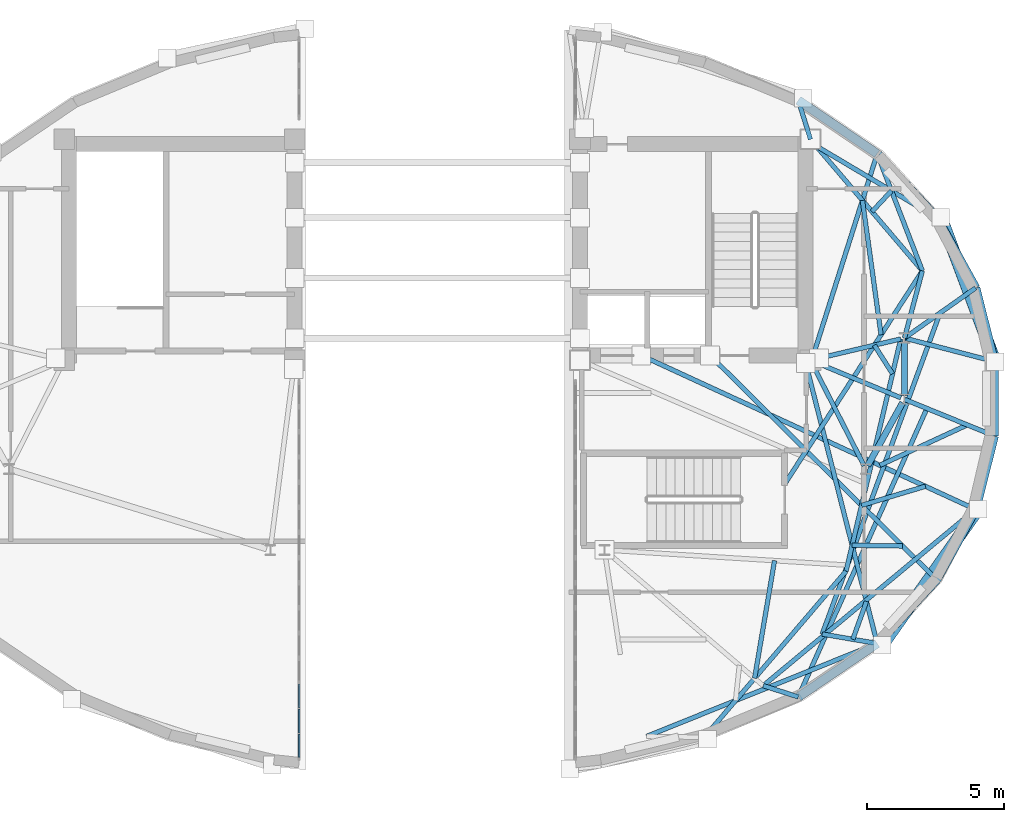
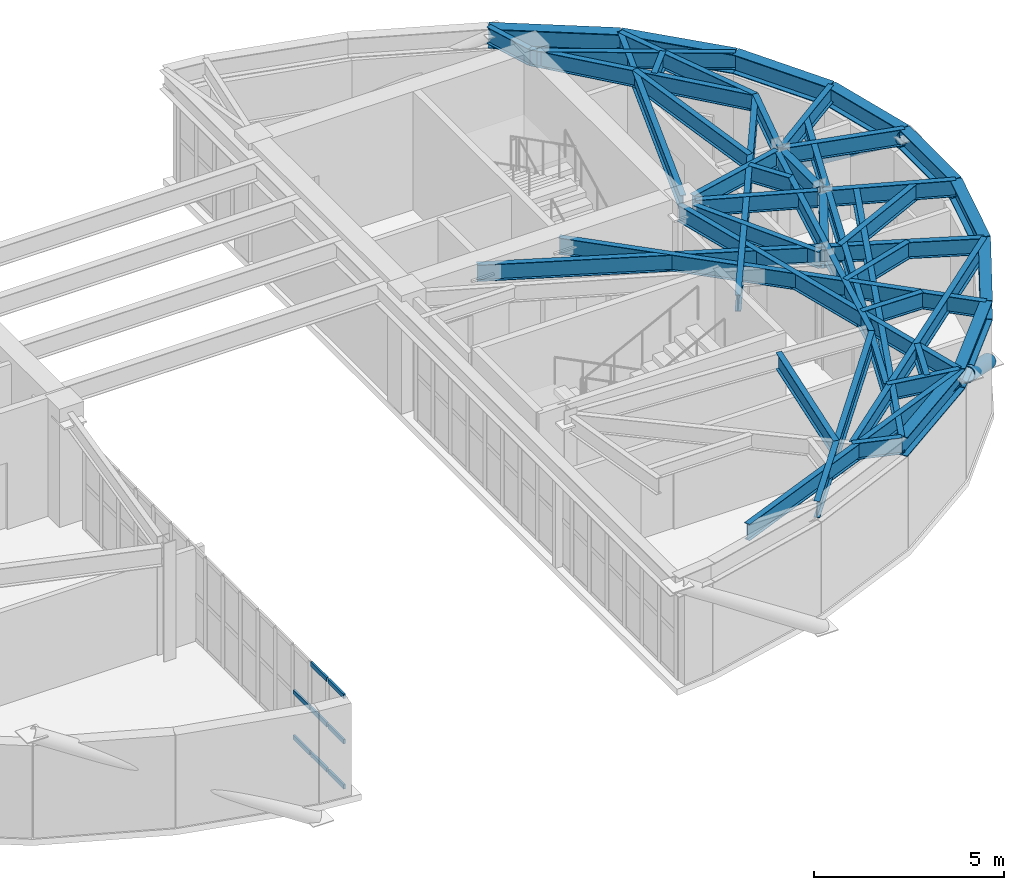
# One storey, part 5 of 13: 43 beams, 10 members, 1 element without a shape of its own.
"""IFC4 building model written with IfcOpenShell, lengths in metres."""

from ifc_helpers import new_model, si_unit, direction, frame, origin, origin_2d, place, context, subcontext, project, spatial, rectangle, hollow_circle, i_section, extrude, material, layer, layer_set, material_profile, profile_set, type_object, element, aggregate, save


model = new_model("IFC4")

# Units and contexts
model_context = context("Model", 3, precision=1e-05, world=origin(), true_north=direction((0.0, 1.0)))
body_context = subcontext(model_context, "Body", "Model", "MODEL_VIEW")
ifc_project = project(units=[si_unit("LENGTHUNIT", "METRE"), si_unit("AREAUNIT", "SQUARE_METRE"), si_unit("VOLUMEUNIT", "CUBIC_METRE"), si_unit("PLANEANGLEUNIT", "RADIAN"), si_unit("MASSUNIT", "GRAM", prefix="KILO")], contexts=[model_context])

# Site, building, storey
site_placement = place(None, origin())
site = spatial("IfcSite", under=ifc_project, at=site_placement, CompositionType="ELEMENT")
building_placement = place(site_placement, origin())
building = spatial("IfcBuilding", under=site, at=building_placement, Name="Keldmark Tower", CompositionType="ELEMENT")
storey_placement = place(building_placement, frame((0.0, 0.0, 280.60009765625)))
storey = spatial("IfcBuildingStorey", under=building, at=storey_placement, Name="L79", CompositionType="ELEMENT", Elevation=280.60009765625)

# Members
ifc_material_1 = material(Name="Steel ASTM A572 Grade 50", Category="steel")
ifc_material_profile_1 = material_profile(ifc_material_1, hollow_circle(Radius=0.22509765625, WallThickness=0.02197265625, at=origin_2d()), Name="CHS450X22")
ifc_profile_set_1 = profile_set([ifc_material_profile_1], Name="Steel ASTM A572 Grade 50")
member_type_1 = type_object("IfcMemberType", Name="Crown Frame Brace CHS450X22", PredefinedType="USERDEFINED", material=ifc_profile_set_1)
member_1_placement = place(storey_placement, frame((18.353759765625, 6.618408203125, -0.4501953125), z_axis=(0.291548831832, -0.775773726038, 0.559619875135), x_axis=(0.936077553227, 0.351793709928, 0.0)))
element("IfcMember", 1, at=member_1_placement, inside=storey, type_object=member_type_1, Name="L79 Crown Frame Diagonal E04", ObjectType="CROWN FRAME", PredefinedType="USERDEFINED", context=body_context, shape_type="SweptSolid", body=[
    extrude(hollow_circle(Radius=0.22509765625, WallThickness=0.02197265625, at=origin_2d()), origin(), (0.0, 0.0, 1.0), 6.79052734375),
])
member_2_placement = place(storey_placement, frame((19.7099609375, -4.032958984375, -0.4501953125), z_axis=(-0.487772662489, -0.692451388598, 0.531590918053), x_axis=(0.817532912792, -0.575881877213, 0.0)))
element("IfcMember", 2, at=member_2_placement, inside=storey, type_object=member_type_1, Name="L79 Crown Frame Diagonal E08", ObjectType="CROWN FRAME", PredefinedType="USERDEFINED", context=body_context, shape_type="SweptSolid", body=[
    extrude(hollow_circle(Radius=0.22509765625, WallThickness=0.02197265625, at=origin_2d()), origin(), (0.0, 0.0, 1.0), 7.1484375),
])

# Curtain wall, members
ifc_material_2 = material(Name="Unitized Thermally Broken Aluminum and Triple Low-E Glazing", Category="aluminium")
ifc_layer = layer(ifc_material_2, 0.219970703125)
ifc_layer_set = layer_set([ifc_layer], Name="Unitized Thermally Broken Aluminum and Triple Low-E Glazing")
curtain_wall_type = type_object("IfcCurtainWallType", Name="Split-Top Crown Lantern Curtain Wall System", PredefinedType="NOTDEFINED", material=ifc_layer_set)
curtain_wall_placement = place(storey_placement, origin())
curtain_wall = element("IfcCurtainWall", 3, at=curtain_wall_placement, inside=storey, type_object=curtain_wall_type, Name="L79 Split-Top Crown Lantern Curtain Wall System CW-L79-WS14-0", PredefinedType="NOTDEFINED")
ifc_material_3 = material(Name="Extruded Aluminum Alloy 6063-T6", Category="aluminium")
ifc_material_profile_2 = material_profile(ifc_material_3, rectangle(XDim=0.06005859375, YDim=0.139892578125, at=origin_2d()), Name="CWT60X140")
ifc_profile_set_2 = profile_set([ifc_material_profile_2], Name="Extruded Aluminum Alloy 6063-T6")
member_type_2 = type_object("IfcMemberType", Name="Curtain Wall Horizontal Transom 60x140", PredefinedType="USERDEFINED", material=ifc_profile_set_2)
member_3_placement = place(storey_placement, frame((-5.0400390625, -13.064697265625, 0.02978515625), z_axis=(0.0, 1.0, 0.0), x_axis=(-1.0, 0.0, 0.0)))
member_3 = element("IfcMember", 4, at=member_3_placement, type_object=member_type_2, Name="CW transom 1.1", ObjectType="TRANSOM", PredefinedType="USERDEFINED", context=body_context, shape_type="SweptSolid", body=[
    extrude(rectangle(XDim=0.06005859375, YDim=0.139892578125, at=origin_2d()), origin(), (0.0, 0.0, 1.0), 0.826416015625),
])
member_4_placement = place(storey_placement, frame((-5.0400390625, -13.064697265625, 1.48291015625), z_axis=(0.0, 1.0, 0.0), x_axis=(-1.0, 0.0, 0.0)))
member_4 = element("IfcMember", 5, at=member_4_placement, type_object=member_type_2, Name="CW transom 1.2", ObjectType="TRANSOM", PredefinedType="USERDEFINED", context=body_context, shape_type="SweptSolid", body=[
    extrude(rectangle(XDim=0.06005859375, YDim=0.139892578125, at=origin_2d()), origin(), (0.0, 0.0, 1.0), 0.826416015625),
])
member_5_placement = place(storey_placement, frame((-5.0400390625, -13.064697265625, 2.935791015625), z_axis=(0.0, 1.0, 0.0), x_axis=(-1.0, 0.0, 0.0)))
member_5 = element("IfcMember", 6, at=member_5_placement, type_object=member_type_2, Name="CW transom 1.3", ObjectType="TRANSOM", PredefinedType="USERDEFINED", context=body_context, shape_type="SweptSolid", body=[
    extrude(rectangle(XDim=0.06005859375, YDim=0.139892578125, at=origin_2d()), origin(), (0.0, 0.0, 1.0), 0.826416015625),
])
member_6_placement = place(storey_placement, frame((-5.0400390625, -12.178466796875, 0.02978515625), z_axis=(0.0, 1.0, 0.0), x_axis=(-1.0, 0.0, 0.0)))
member_6 = element("IfcMember", 7, at=member_6_placement, type_object=member_type_2, Name="CW transom 2.1", ObjectType="TRANSOM", PredefinedType="USERDEFINED", context=body_context, shape_type="SweptSolid", body=[
    extrude(rectangle(XDim=0.06005859375, YDim=0.139892578125, at=origin_2d()), origin(), (0.0, 0.0, 1.0), 0.8564453125),
])
member_7_placement = place(storey_placement, frame((-5.0400390625, -12.178466796875, 1.48291015625), z_axis=(0.0, 1.0, 0.0), x_axis=(-1.0, 0.0, 0.0)))
member_7 = element("IfcMember", 8, at=member_7_placement, type_object=member_type_2, Name="CW transom 2.2", ObjectType="TRANSOM", PredefinedType="USERDEFINED", context=body_context, shape_type="SweptSolid", body=[
    extrude(rectangle(XDim=0.06005859375, YDim=0.139892578125, at=origin_2d()), origin(), (0.0, 0.0, 1.0), 0.8564453125),
])
member_8_placement = place(storey_placement, frame((-5.0400390625, -12.178466796875, 2.935791015625), z_axis=(0.0, 1.0, 0.0), x_axis=(-1.0, 0.0, 0.0)))
member_8 = element("IfcMember", 9, at=member_8_placement, type_object=member_type_2, Name="CW transom 2.3", ObjectType="TRANSOM", PredefinedType="USERDEFINED", context=body_context, shape_type="SweptSolid", body=[
    extrude(rectangle(XDim=0.06005859375, YDim=0.139892578125, at=origin_2d()), origin(), (0.0, 0.0, 1.0), 0.8564453125),
])
member_9_placement = place(storey_placement, frame((-5.0400390625, -11.261962890625, 0.02978515625), z_axis=(0.0, 1.0, 0.0), x_axis=(-1.0, 0.0, 0.0)))
member_9 = element("IfcMember", 10, at=member_9_placement, type_object=member_type_2, Name="CW transom 3.1", ObjectType="TRANSOM", PredefinedType="USERDEFINED", context=body_context, shape_type="SweptSolid", body=[
    extrude(rectangle(XDim=0.06005859375, YDim=0.139892578125, at=origin_2d()), origin(), (0.0, 0.0, 1.0), 0.8564453125),
])
member_10_placement = place(storey_placement, frame((-5.0400390625, -11.261962890625, 1.48291015625), z_axis=(0.0, 1.0, 0.0), x_axis=(-1.0, 0.0, 0.0)))
member_10 = element("IfcMember", 11, at=member_10_placement, type_object=member_type_2, Name="CW transom 3.2", ObjectType="TRANSOM", PredefinedType="USERDEFINED", context=body_context, shape_type="SweptSolid", body=[
    extrude(rectangle(XDim=0.06005859375, YDim=0.139892578125, at=origin_2d()), origin(), (0.0, 0.0, 1.0), 0.8564453125),
])
aggregate(curtain_wall, [member_3, member_4, member_5, member_6, member_7, member_8, member_9, member_10])

# Beams
ifc_material_4 = material(Name="Steel ASTM A992 Grade 50", Category="steel")
ifc_material_profile_3 = material_profile(ifc_material_4, i_section(OverallWidth=0.22802734375, OverallDepth=0.60302734375, WebThickness=0.010498046875, FlangeThickness=0.014892578125, at=origin_2d()), Name="W24X68")
ifc_profile_set_3 = profile_set([ifc_material_profile_3], Name="Steel ASTM A992 Grade 50")
beam_type_1 = type_object("IfcBeamType", Name="Primary Floor Girder W24X68", PredefinedType="BEAM", material=ifc_profile_set_3)
beam_1_placement = place(storey_placement, frame((15.68408203125, -2.44482421875, 3.29833984375), z_axis=(0.484719680408, 0.874669555561, 0.0), x_axis=(-0.874669555561, 0.484719680408, 0.0)))
element("IfcBeam", 12, at=beam_1_placement, inside=storey, type_object=beam_type_1, Name="L79 Floor Ring Girder FG-R07", PredefinedType="BEAM", context=body_context, shape_type="SweptSolid", body=[
    extrude(i_section(OverallWidth=0.22802734375, OverallDepth=0.60302734375, WebThickness=0.010498046875, FlangeThickness=0.014892578125, at=origin_2d()), origin(), (0.0, 0.0, 1.0), 2.627685546875),
])
beam_2_placement = place(storey_placement, frame((17.025634765625, 0.115966796875, 3.29833984375), z_axis=(0.0, 1.0, 0.0), x_axis=(-1.0, 0.0, 0.0)))
element("IfcBeam", 13, at=beam_2_placement, inside=storey, type_object=beam_type_1, Name="L79 Floor Ring Girder FG-R08", PredefinedType="BEAM", context=body_context, shape_type="SweptSolid", body=[
    extrude(i_section(OverallWidth=0.22802734375, OverallDepth=0.60302734375, WebThickness=0.010498046875, FlangeThickness=0.014892578125, at=origin_2d()), origin(), (0.0, 0.0, 1.0), 1.9521484375),
])
ifc_material_5 = material(Name="Steel ASTM A992 Grade 50", Category="steel")
ifc_material_profile_4 = material_profile(ifc_material_5, i_section(OverallWidth=0.166015625, OverallDepth=0.529052734375, WebThickness=0.009765625, FlangeThickness=0.013671875, at=origin_2d()), Name="W21X50")
ifc_profile_set_4 = profile_set([ifc_material_profile_4], Name="Steel ASTM A992 Grade 50")
beam_type_2 = type_object("IfcBeamType", Name="Radial Tie Girder W21X50", PredefinedType="BEAM", material=ifc_profile_set_4)
beam_3_placement = place(storey_placement, frame((16.889404296875, 2.17578125, 3.33544921875), z_axis=(-0.97329039005, -0.229577474147, 0.0), x_axis=(0.229577474147, -0.97329039005, 0.0)))
element("IfcBeam", 14, at=beam_3_placement, inside=storey, type_object=beam_type_2, Name="L79 Floor Radial Girder FG-C01", PredefinedType="BEAM", context=body_context, shape_type="SweptSolid", body=[
    extrude(i_section(OverallWidth=0.166015625, OverallDepth=0.529052734375, WebThickness=0.009765625, FlangeThickness=0.013671875, at=origin_2d()), origin(), (0.0, 0.0, 1.0), 3.0595703125),
])
beam_4_placement = place(storey_placement, frame((15.552734375, -2.442626953125, 3.33544921875), z_axis=(-0.453004410574, 0.89150827478, 0.0), x_axis=(-0.89150827478, -0.453004410574, 0.0)))
element("IfcBeam", 15, at=beam_4_placement, inside=storey, type_object=beam_type_2, Name="L79 Floor Radial Girder FG-C11", PredefinedType="BEAM", context=body_context, shape_type="SweptSolid", body=[
    extrude(i_section(OverallWidth=0.166015625, OverallDepth=0.529052734375, WebThickness=0.009765625, FlangeThickness=0.013671875, at=origin_2d()), origin(), (0.0, 0.0, 1.0), 3.990234375),
])
beam_5_placement = place(storey_placement, frame((16.896240234375, 0.02978515625, 3.33544921875), z_axis=(-0.923403331902, 0.383831065226, 0.0), x_axis=(-0.383831065226, -0.923403331902, 0.0)))
element("IfcBeam", 16, at=beam_5_placement, inside=storey, type_object=beam_type_2, Name="L79 Floor Radial Girder FG-C12", PredefinedType="BEAM", context=body_context, shape_type="SweptSolid", body=[
    extrude(i_section(OverallWidth=0.166015625, OverallDepth=0.529052734375, WebThickness=0.009765625, FlangeThickness=0.013671875, at=origin_2d()), origin(), (0.0, 0.0, 1.0), 3.249755859375),
])
beam_6_placement = place(storey_placement, frame((16.889404296875, 2.17578125, 3.33544921875), z_axis=(-0.229172373012, -0.973385855377, 0.0), x_axis=(0.973385855377, -0.229172373012, 0.0)))
element("IfcBeam", 17, at=beam_6_placement, inside=storey, type_object=beam_type_2, Name="L79 Sub-Ring Step Girder STP1-E07", PredefinedType="BEAM", context=body_context, shape_type="SweptSolid", body=[
    extrude(i_section(OverallWidth=0.166015625, OverallDepth=0.529052734375, WebThickness=0.009765625, FlangeThickness=0.013671875, at=origin_2d()), origin(), (0.0, 0.0, 1.0), 8.694091796875),
])
beam_7_placement = place(storey_placement, frame((16.590576171875, 0.906494140625, 3.33544921875), z_axis=(-0.536184751119, 0.844100653162, 0.0), x_axis=(-0.844100653162, -0.536184751119, 0.0)))
element("IfcBeam", 18, at=beam_7_placement, inside=storey, type_object=beam_type_2, Name="L79 Framing Pin Header PH-002", PredefinedType="BEAM", context=body_context, shape_type="SweptSolid", body=[
    extrude(i_section(OverallWidth=0.166015625, OverallDepth=0.529052734375, WebThickness=0.009765625, FlangeThickness=0.013671875, at=origin_2d()), origin(), (0.0, 0.0, 1.0), 1.2353515625),
])
beam_8_placement = place(storey_placement, frame((12.659912109375, -3.11328125, 3.33544921875), z_axis=(0.542382279836, 0.840131812586, 0.0), x_axis=(-0.840131812586, 0.542382279836, 0.0)))
element("IfcBeam", 19, at=beam_8_placement, inside=storey, type_object=beam_type_2, Name="L79 Intermediate Radial Step Girder CRT-E05M", PredefinedType="BEAM", context=body_context, shape_type="SweptSolid", body=[
    extrude(i_section(OverallWidth=0.166015625, OverallDepth=0.529052734375, WebThickness=0.009765625, FlangeThickness=0.013671875, at=origin_2d()), origin(), (0.0, 0.0, 1.0), 9.25244140625),
])
beam_9_placement = place(storey_placement, frame((17.025634765625, 2.2080078125, 3.33544921875), z_axis=(0.257201474164, 0.966357802104, 0.0), x_axis=(-0.966357802104, 0.257201474164, 0.0)))
element("IfcBeam", 20, at=beam_9_placement, inside=storey, type_object=beam_type_2, Name="L79 Local Collector Chord CRT-E05C", PredefinedType="BEAM", context=body_context, shape_type="SweptSolid", body=[
    extrude(i_section(OverallWidth=0.166015625, OverallDepth=0.529052734375, WebThickness=0.009765625, FlangeThickness=0.013671875, at=origin_2d()), origin(), (0.0, 0.0, 1.0), 2.537353515625),
])
beam_10_placement = place(storey_placement, frame((17.025634765625, 2.2080078125, 3.33544921875), z_axis=(0.817095863613, 0.576501821043, 0.0), x_axis=(-0.576501821043, 0.817095863613, 0.0)))
element("IfcBeam", 21, at=beam_10_placement, inside=storey, type_object=beam_type_2, Name="L79 Perimeter Column Bracket CRT-E06", PredefinedType="BEAM", context=body_context, shape_type="SweptSolid", body=[
    extrude(i_section(OverallWidth=0.166015625, OverallDepth=0.529052734375, WebThickness=0.009765625, FlangeThickness=0.013671875, at=origin_2d()), origin(), (0.0, 0.0, 1.0), 3.171142578125),
])
beam_11_placement = place(storey_placement, frame((17.025634765625, 2.2080078125, 3.33544921875), z_axis=(0.967693945854, -0.252127799256, 0.0), x_axis=(0.252127799256, 0.967693945854, 0.0)))
element("IfcBeam", 22, at=beam_11_placement, inside=storey, type_object=beam_type_2, Name="L79 Perimeter Column Bracket CRT-E07", PredefinedType="BEAM", context=body_context, shape_type="SweptSolid", body=[
    extrude(i_section(OverallWidth=0.166015625, OverallDepth=0.529052734375, WebThickness=0.009765625, FlangeThickness=0.013671875, at=origin_2d()), origin(), (0.0, 0.0, 1.0), 3.37939453125),
])
beam_12_placement = place(storey_placement, frame((17.025634765625, -0.02392578125, 3.33544921875), z_axis=(0.926121883512, -0.377224411829, 0.0), x_axis=(0.377224411829, 0.926121883512, 0.0)))
element("IfcBeam", 23, at=beam_12_placement, inside=storey, type_object=beam_type_2, Name="L79 Perimeter Column Bracket CRT-E08", PredefinedType="BEAM", context=body_context, shape_type="SweptSolid", body=[
    extrude(i_section(OverallWidth=0.166015625, OverallDepth=0.529052734375, WebThickness=0.009765625, FlangeThickness=0.013671875, at=origin_2d()), origin(), (0.0, 0.0, 1.0), 3.53125),
])
beam_13_placement = place(storey_placement, frame((19.314697265625, -0.956298828125, 3.33544921875), z_axis=(-0.907553813571, -0.419935799228, 0.0), x_axis=(0.419935799228, -0.907553813571, 0.0)))
element("IfcBeam", 24, at=beam_13_placement, inside=storey, type_object=beam_type_2, Name="L79 Framing Pin Header PH-003", PredefinedType="BEAM", context=body_context, shape_type="SweptSolid", body=[
    extrude(i_section(OverallWidth=0.166015625, OverallDepth=0.529052734375, WebThickness=0.009765625, FlangeThickness=0.013671875, at=origin_2d()), origin(), (0.0, 0.0, 1.0), 3.509765625),
])
beam_14_placement = place(storey_placement, frame((7.43212890625, 1.574951171875, 3.33544921875), z_axis=(0.908315417086, -0.418285910693, 0.0), x_axis=(0.418285910693, 0.908315417086, 0.0)))
element("IfcBeam", 25, at=beam_14_placement, inside=storey, type_object=beam_type_2, Name="L79 Perimeter Radial Tie Girder CRT-E09", PredefinedType="BEAM", context=body_context, shape_type="SweptSolid", body=[
    extrude(i_section(OverallWidth=0.166015625, OverallDepth=0.529052734375, WebThickness=0.009765625, FlangeThickness=0.013671875, at=origin_2d()), origin(), (0.0, 0.0, 1.0), 13.41455078125),
])
beam_15_placement = place(storey_placement, frame((17.7890625, -3.194580078125, 3.33544921875), z_axis=(-0.958198867244, -0.286103007346, 0.0), x_axis=(0.286103007346, -0.958198867244, 0.0)))
element("IfcBeam", 26, at=beam_15_placement, inside=storey, type_object=beam_type_2, Name="L79 Framing Pin Header PH-004", PredefinedType="BEAM", context=body_context, shape_type="SweptSolid", body=[
    extrude(i_section(OverallWidth=0.166015625, OverallDepth=0.529052734375, WebThickness=0.009765625, FlangeThickness=0.013671875, at=origin_2d()), origin(), (0.0, 0.0, 1.0), 2.429443359375),
])
beam_16_placement = place(storey_placement, frame((9.939208984375, 1.574951171875, 3.33544921875), z_axis=(0.710795448043, -0.703398770998, 0.0), x_axis=(0.703398770998, 0.710795448043, 0.0)))
element("IfcBeam", 27, at=beam_16_placement, inside=storey, type_object=beam_type_2, Name="L79 Perimeter Radial Tie Girder CRT-E10", PredefinedType="BEAM", context=body_context, shape_type="SweptSolid", body=[
    extrude(i_section(OverallWidth=0.166015625, OverallDepth=0.529052734375, WebThickness=0.009765625, FlangeThickness=0.013671875, at=origin_2d()), origin(), (0.0, 0.0, 1.0), 11.618408203125),
])
beam_17_placement = place(storey_placement, frame((16.958740234375, -5.37158203125, 3.33544921875), z_axis=(-0.999887598558, 0.014993006719, 0.0), x_axis=(-0.014993006719, -0.999887598558, 0.0)))
element("IfcBeam", 28, at=beam_17_placement, inside=storey, type_object=beam_type_2, Name="L79 Framing Pin Header PH-005", PredefinedType="BEAM", context=body_context, shape_type="SweptSolid", body=[
    extrude(i_section(OverallWidth=0.166015625, OverallDepth=0.529052734375, WebThickness=0.009765625, FlangeThickness=0.013671875, at=origin_2d()), origin(), (0.0, 0.0, 1.0), 1.840087890625),
])
beam_18_placement = place(storey_placement, frame((13.425048828125, 1.300048828125, 3.33544921875), z_axis=(0.247051844958, -0.969002263105, 0.0), x_axis=(0.969002263105, 0.247051844958, 0.0)))
element("IfcBeam", 29, at=beam_18_placement, inside=storey, type_object=beam_type_2, Name="L79 Perimeter Radial Tie Girder CRT-E11", PredefinedType="BEAM", context=body_context, shape_type="SweptSolid", body=[
    extrude(i_section(OverallWidth=0.166015625, OverallDepth=0.529052734375, WebThickness=0.009765625, FlangeThickness=0.013671875, at=origin_2d()), origin(), (0.0, 0.0, 1.0), 10.55126953125),
])
beam_19_placement = place(storey_placement, frame((18.3212890625, 3.1220703125, 3.33544921875), z_axis=(-0.344506119472, -0.938784071896, 0.0), x_axis=(0.938784071896, -0.344506119472, 0.0)))
element("IfcBeam", 30, at=beam_19_placement, inside=storey, type_object=beam_type_2, Name="L79 Intermediate Radial Step Girder CRT-E12M", PredefinedType="BEAM", context=body_context, shape_type="SweptSolid", body=[
    extrude(i_section(OverallWidth=0.166015625, OverallDepth=0.529052734375, WebThickness=0.009765625, FlangeThickness=0.013671875, at=origin_2d()), origin(), (0.0, 0.0, 1.0), 12.465576171875),
])
beam_20_placement = place(storey_placement, frame((16.03173828125, -8.924072265625, 3.33544921875), z_axis=(-0.985617685826, 0.168990465373, 0.0), x_axis=(-0.168990465373, -0.985617685826, 0.0)))
element("IfcBeam", 31, at=beam_20_placement, inside=storey, type_object=beam_type_2, Name="L79 Local Collector Chord CRT-E12C", PredefinedType="BEAM", context=body_context, shape_type="SweptSolid", body=[
    extrude(i_section(OverallWidth=0.166015625, OverallDepth=0.529052734375, WebThickness=0.009765625, FlangeThickness=0.013671875, at=origin_2d()), origin(), (0.0, 0.0, 1.0), 2.0341796875),
])
beam_21_placement = place(storey_placement, frame((15.640625, -7.390380859375, 3.33544921875), z_axis=(-0.338884332698, -0.940828044359, 0.0), x_axis=(0.940828044359, -0.338884332698, 0.0)))
element("IfcBeam", 32, at=beam_21_placement, inside=storey, type_object=beam_type_2, Name="L79 Framing Pin Header PH-007", PredefinedType="BEAM", context=body_context, shape_type="SweptSolid", body=[
    extrude(i_section(OverallWidth=0.166015625, OverallDepth=0.529052734375, WebThickness=0.009765625, FlangeThickness=0.013671875, at=origin_2d()), origin(), (0.0, 0.0, 1.0), 1.46826171875),
])
beam_22_placement = place(storey_placement, frame((17.84326171875, -0.35693359375, 3.33544921875), z_axis=(-0.407009829277, -0.913423778359, 0.0), x_axis=(0.913423778359, -0.407009829277, 0.0)))
element("IfcBeam", 33, at=beam_22_placement, inside=storey, type_object=beam_type_2, Name="L79 Perimeter Radial Tie Girder CRT-E12", PredefinedType="BEAM", context=body_context, shape_type="SweptSolid", body=[
    extrude(i_section(OverallWidth=0.166015625, OverallDepth=0.529052734375, WebThickness=0.009765625, FlangeThickness=0.013671875, at=origin_2d()), origin(), (0.0, 0.0, 1.0), 11.513916015625),
])
beam_23_placement = place(storey_placement, frame((19.61669921875, -4.0361328125, 3.33544921875), z_axis=(-0.769405608282, -0.638760526288, 0.0), x_axis=(0.638760526288, -0.769405608282, 0.0)))
element("IfcBeam", 34, at=beam_23_placement, inside=storey, type_object=beam_type_2, Name="L79 Intermediate Radial Step Girder CRT-E13M", PredefinedType="BEAM", context=body_context, shape_type="SweptSolid", body=[
    extrude(i_section(OverallWidth=0.166015625, OverallDepth=0.529052734375, WebThickness=0.009765625, FlangeThickness=0.013671875, at=origin_2d()), origin(), (0.0, 0.0, 1.0), 10.059326171875),
])
beam_24_placement = place(storey_placement, frame((13.156982421875, -10.8740234375, 3.33544921875), z_axis=(-0.951830028205, 0.306626152516, 0.0), x_axis=(-0.306626152516, -0.951830028205, 0.0)))
element("IfcBeam", 35, at=beam_24_placement, inside=storey, type_object=beam_type_2, Name="L79 Local Collector Chord CRT-E13C", PredefinedType="BEAM", context=body_context, shape_type="SweptSolid", body=[
    extrude(i_section(OverallWidth=0.166015625, OverallDepth=0.529052734375, WebThickness=0.009765625, FlangeThickness=0.013671875, at=origin_2d()), origin(), (0.0, 0.0, 1.0), 1.3447265625),
])
beam_25_placement = place(storey_placement, frame((17.67822265625, 4.659912109375, 3.33544921875), z_axis=(-0.648256532087, 0.761422004283, 0.0), x_axis=(-0.761422004283, -0.648256532087, 0.0)))
element("IfcBeam", 36, at=beam_25_placement, inside=storey, type_object=beam_type_2, Name="L79 Straddling Support Chord CRT-E04RB", PredefinedType="BEAM", context=body_context, shape_type="SweptSolid", body=[
    extrude(i_section(OverallWidth=0.166015625, OverallDepth=0.529052734375, WebThickness=0.009765625, FlangeThickness=0.013671875, at=origin_2d()), origin(), (0.0, 0.0, 1.0), 6.291015625),
])
beam_26_placement = place(storey_placement, frame((16.1728515625, 2.327880859375, 3.33544921875), z_axis=(-0.137432494449, 0.99051113546, 0.0), x_axis=(-0.99051113546, -0.137432494449, 0.0)))
element("IfcBeam", 37, at=beam_26_placement, inside=storey, type_object=beam_type_2, Name="L79 Framing Pin Header PH-008", PredefinedType="BEAM", context=body_context, shape_type="SweptSolid", body=[
    extrude(i_section(OverallWidth=0.166015625, OverallDepth=0.529052734375, WebThickness=0.009765625, FlangeThickness=0.013671875, at=origin_2d()), origin(), (0.0, 0.0, 1.0), 4.945556640625),
])
beam_27_placement = place(storey_placement, frame((13.699951171875, 1.574951171875, 3.33544921875), z_axis=(0.302429821076, 0.9531716547, 0.0), x_axis=(-0.9531716547, 0.302429821076, 0.0)))
element("IfcBeam", 38, at=beam_27_placement, inside=storey, type_object=beam_type_2, Name="L79 Perimeter Radial Tie Girder CRT-E04R", PredefinedType="BEAM", context=body_context, shape_type="SweptSolid", body=[
    extrude(i_section(OverallWidth=0.166015625, OverallDepth=0.529052734375, WebThickness=0.009765625, FlangeThickness=0.013671875, at=origin_2d()), origin(), (0.0, 0.0, 1.0), 7.710205078125),
])
beam_28_placement = place(storey_placement, frame((17.67822265625, 4.659912109375, 3.33544921875), z_axis=(-0.360202815277, 0.932874017146, 0.0), x_axis=(-0.932874017146, -0.360202815277, 0.0)))
element("IfcBeam", 39, at=beam_28_placement, inside=storey, type_object=beam_type_2, Name="L79 Straddling Support Chord CRT-E05RB", PredefinedType="BEAM", context=body_context, shape_type="SweptSolid", body=[
    extrude(i_section(OverallWidth=0.166015625, OverallDepth=0.529052734375, WebThickness=0.009765625, FlangeThickness=0.013671875, at=origin_2d()), origin(), (0.0, 0.0, 1.0), 4.571044921875),
])
beam_29_placement = place(storey_placement, frame((15.843017578125, 6.8154296875, 3.33544921875), z_axis=(0.681188776547, 0.732107813581, 0.0), x_axis=(-0.732107813581, 0.681188776547, 0.0)))
element("IfcBeam", 40, at=beam_29_placement, inside=storey, type_object=beam_type_2, Name="L79 Framing Pin Header PH-009", PredefinedType="BEAM", context=body_context, shape_type="SweptSolid", body=[
    extrude(i_section(OverallWidth=0.166015625, OverallDepth=0.529052734375, WebThickness=0.009765625, FlangeThickness=0.013671875, at=origin_2d()), origin(), (0.0, 0.0, 1.0), 1.04052734375),
])
beam_30_placement = place(storey_placement, frame((13.699951171875, 9.27490234375, 3.33544921875), z_axis=(0.859261644141, -0.511536339773, 0.0), x_axis=(0.511536339773, 0.859261644141, 0.0)))
element("IfcBeam", 41, at=beam_30_placement, inside=storey, type_object=beam_type_2, Name="L79 Perimeter Radial Tie Girder CRT-E05R", PredefinedType="BEAM", context=body_context, shape_type="SweptSolid", body=[
    extrude(i_section(OverallWidth=0.166015625, OverallDepth=0.529052734375, WebThickness=0.009765625, FlangeThickness=0.013671875, at=origin_2d()), origin(), (0.0, 0.0, 1.0), 5.234130859375),
])
beam_31_placement = place(storey_placement, frame((12.290283203125, -5.9033203125, 3.33544921875), z_axis=(-0.167273715732, -0.985910494936, 0.0), x_axis=(0.985910494936, -0.167273715732, 0.0)))
element("IfcBeam", 42, at=beam_31_placement, inside=storey, type_object=beam_type_2, Name="L79 Framing Pin Header PH-010", PredefinedType="BEAM", context=body_context, shape_type="SweptSolid", body=[
    extrude(i_section(OverallWidth=0.166015625, OverallDepth=0.529052734375, WebThickness=0.009765625, FlangeThickness=0.013671875, at=origin_2d()), origin(), (0.0, 0.0, 1.0), 4.350830078125),
])
beam_32_placement = place(storey_placement, frame((14.89697265625, -6.286865234375, 3.33544921875), z_axis=(-0.649282710545, -0.760547146328, 0.0), x_axis=(0.760547146328, -0.649282710545, 0.0)))
element("IfcBeam", 43, at=beam_32_placement, inside=storey, type_object=beam_type_2, Name="L79 Perimeter Radial Tie Girder CRT-E13R", PredefinedType="BEAM", context=body_context, shape_type="SweptSolid", body=[
    extrude(i_section(OverallWidth=0.166015625, OverallDepth=0.529052734375, WebThickness=0.009765625, FlangeThickness=0.013671875, at=origin_2d()), origin(), (0.0, 0.0, 1.0), 7.962890625),
])
beam_33_placement = place(storey_placement, frame((16.03173828125, -8.924072265625, 3.33544921875), z_axis=(-0.927522240359, -0.373767967647, 0.0), x_axis=(0.373767967647, -0.927522240359, 0.0)))
element("IfcBeam", 44, at=beam_33_placement, inside=storey, type_object=beam_type_2, Name="L79 Crown Step Radial Girder CRT-E14RN2", PredefinedType="BEAM", context=body_context, shape_type="SweptSolid", body=[
    extrude(i_section(OverallWidth=0.166015625, OverallDepth=0.529052734375, WebThickness=0.009765625, FlangeThickness=0.013671875, at=origin_2d()), origin(), (0.0, 0.0, 1.0), 9.06103515625),
])
beam_34_placement = place(storey_placement, frame((13.60009765625, 9.449951171875, 3.33544921875), z_axis=(-0.297109669227, 0.954843361213, 0.0), x_axis=(-0.954843361213, -0.297109669227, 0.0)))
element("IfcBeam", 45, at=beam_34_placement, inside=storey, type_object=beam_type_2, Name="L79 Perimeter Column Bracket CRT-E03G", PredefinedType="BEAM", context=body_context, shape_type="SweptSolid", body=[
    extrude(i_section(OverallWidth=0.166015625, OverallDepth=0.529052734375, WebThickness=0.009765625, FlangeThickness=0.013671875, at=origin_2d()), origin(), (0.0, 0.0, 1.0), 1.491455078125),
])
ifc_material_6 = material(Name="Steel ASTM A992 Grade 50", Category="steel")
ifc_material_profile_5 = material_profile(ifc_material_6, i_section(OverallWidth=0.326904296875, OverallDepth=0.6220703125, WebThickness=0.015380859375, FlangeThickness=0.0244140625, at=origin_2d()), Name="W24X131")
ifc_profile_set_5 = profile_set([ifc_material_profile_5], Name="Steel ASTM A992 Grade 50")
beam_type_3 = type_object("IfcBeamType", Name="Spandrel Ring Beam W24X131", PredefinedType="SPANDREL", material=ifc_profile_set_5)
beam_35_placement = place(storey_placement, frame((13.156982421875, 10.8740234375, 3.288818359375), z_axis=(0.827579557769, -0.561348443983, 0.0), x_axis=(0.561348443983, 0.827579557769, 0.0)))
element("IfcBeam", 46, at=beam_35_placement, inside=storey, type_object=beam_type_3, Name="L79 Crown Spandrel Ring Beam CRB-E03", PredefinedType="SPANDREL", context=body_context, shape_type="SweptSolid", body=[
    extrude(i_section(OverallWidth=0.326904296875, OverallDepth=0.6220703125, WebThickness=0.015380859375, FlangeThickness=0.0244140625, at=origin_2d()), origin(), (0.0, 0.0, 1.0), 3.4736328125),
])
beam_36_placement = place(storey_placement, frame((16.03173828125, 8.924072265625, 3.288818359375), z_axis=(0.681346170386, -0.731961335113, 0.0), x_axis=(0.731961335113, 0.681346170386, 0.0)))
element("IfcBeam", 47, at=beam_36_placement, inside=storey, type_object=beam_type_3, Name="L79 Crown Spandrel Ring Beam CRB-E04", PredefinedType="SPANDREL", context=body_context, shape_type="SweptSolid", body=[
    extrude(i_section(OverallWidth=0.326904296875, OverallDepth=0.6220703125, WebThickness=0.015380859375, FlangeThickness=0.0244140625, at=origin_2d()), origin(), (0.0, 0.0, 1.0), 3.1787109375),
])
beam_37_placement = place(storey_placement, frame((18.197509765625, 6.597412109375, 3.288818359375), z_axis=(0.484665710832, -0.874699461954, 0.0), x_axis=(0.874699461954, 0.484665710832, 0.0)))
element("IfcBeam", 48, at=beam_37_placement, inside=storey, type_object=beam_type_3, Name="L79 Crown Spandrel Ring Beam CRB-E05", PredefinedType="SPANDREL", context=body_context, shape_type="SweptSolid", body=[
    extrude(i_section(OverallWidth=0.326904296875, OverallDepth=0.6220703125, WebThickness=0.015380859375, FlangeThickness=0.0244140625, at=origin_2d()), origin(), (0.0, 0.0, 1.0), 2.92822265625),
])
beam_38_placement = place(storey_placement, frame((19.61669921875, 4.0361328125, 3.288818359375), z_axis=(0.245650847344, -0.96935837604, 0.0), x_axis=(0.96935837604, 0.245650847344, 0.0)))
element("IfcBeam", 49, at=beam_38_placement, inside=storey, type_object=beam_type_3, Name="L79 Crown Spandrel Ring Beam CRB-E06", PredefinedType="SPANDREL", context=body_context, shape_type="SweptSolid", body=[
    extrude(i_section(OverallWidth=0.326904296875, OverallDepth=0.6220703125, WebThickness=0.015380859375, FlangeThickness=0.0244140625, at=origin_2d()), origin(), (0.0, 0.0, 1.0), 2.764892578125),
])
beam_39_placement = place(storey_placement, frame((20.2958984375, 1.35595703125, 3.288818359375), z_axis=(0.0, -1.0, 0.0), x_axis=(1.0, 0.0, 0.0)))
element("IfcBeam", 50, at=beam_39_placement, inside=storey, type_object=beam_type_3, Name="L79 Crown Spandrel Ring Beam CRB-E07", PredefinedType="SPANDREL", context=body_context, shape_type="SweptSolid", body=[
    extrude(i_section(OverallWidth=0.326904296875, OverallDepth=0.6220703125, WebThickness=0.015380859375, FlangeThickness=0.0244140625, at=origin_2d()), origin(), (0.0, 0.0, 1.0), 2.7119140625),
])
beam_40_placement = place(storey_placement, frame((20.2958984375, -1.35595703125, 3.288818359375), z_axis=(-0.245650847344, -0.96935837604, 0.0), x_axis=(0.96935837604, -0.245650847344, 0.0)))
element("IfcBeam", 51, at=beam_40_placement, inside=storey, type_object=beam_type_3, Name="L79 Crown Spandrel Ring Beam CRB-E08", PredefinedType="SPANDREL", context=body_context, shape_type="SweptSolid", body=[
    extrude(i_section(OverallWidth=0.326904296875, OverallDepth=0.6220703125, WebThickness=0.015380859375, FlangeThickness=0.0244140625, at=origin_2d()), origin(), (0.0, 0.0, 1.0), 2.764892578125),
])
beam_41_placement = place(storey_placement, frame((19.61669921875, -4.0361328125, 3.288818359375), z_axis=(-0.484665710832, -0.874699461954, 0.0), x_axis=(0.874699461954, -0.484665710832, 0.0)))
element("IfcBeam", 52, at=beam_41_placement, inside=storey, type_object=beam_type_3, Name="L79 Crown Spandrel Ring Beam CRB-E09", PredefinedType="SPANDREL", context=body_context, shape_type="SweptSolid", body=[
    extrude(i_section(OverallWidth=0.326904296875, OverallDepth=0.6220703125, WebThickness=0.015380859375, FlangeThickness=0.0244140625, at=origin_2d()), origin(), (0.0, 0.0, 1.0), 2.92822265625),
])
beam_42_placement = place(storey_placement, frame((18.197509765625, -6.597412109375, 3.288818359375), z_axis=(-0.681346170386, -0.731961335113, 0.0), x_axis=(0.731961335113, -0.681346170386, 0.0)))
element("IfcBeam", 53, at=beam_42_placement, inside=storey, type_object=beam_type_3, Name="L79 Crown Spandrel Ring Beam CRB-E10", PredefinedType="SPANDREL", context=body_context, shape_type="SweptSolid", body=[
    extrude(i_section(OverallWidth=0.326904296875, OverallDepth=0.6220703125, WebThickness=0.015380859375, FlangeThickness=0.0244140625, at=origin_2d()), origin(), (0.0, 0.0, 1.0), 3.1787109375),
])
beam_43_placement = place(storey_placement, frame((16.03173828125, -8.924072265625, 3.288818359375), z_axis=(-0.827579557769, -0.561348443983, 0.0), x_axis=(0.561348443983, -0.827579557769, 0.0)))
element("IfcBeam", 54, at=beam_43_placement, inside=storey, type_object=beam_type_3, Name="L79 Crown Spandrel Ring Beam CRB-E11", PredefinedType="SPANDREL", context=body_context, shape_type="SweptSolid", body=[
    extrude(i_section(OverallWidth=0.326904296875, OverallDepth=0.6220703125, WebThickness=0.015380859375, FlangeThickness=0.0244140625, at=origin_2d()), origin(), (0.0, 0.0, 1.0), 3.4736328125),
])

save(model, "model.ifc")
